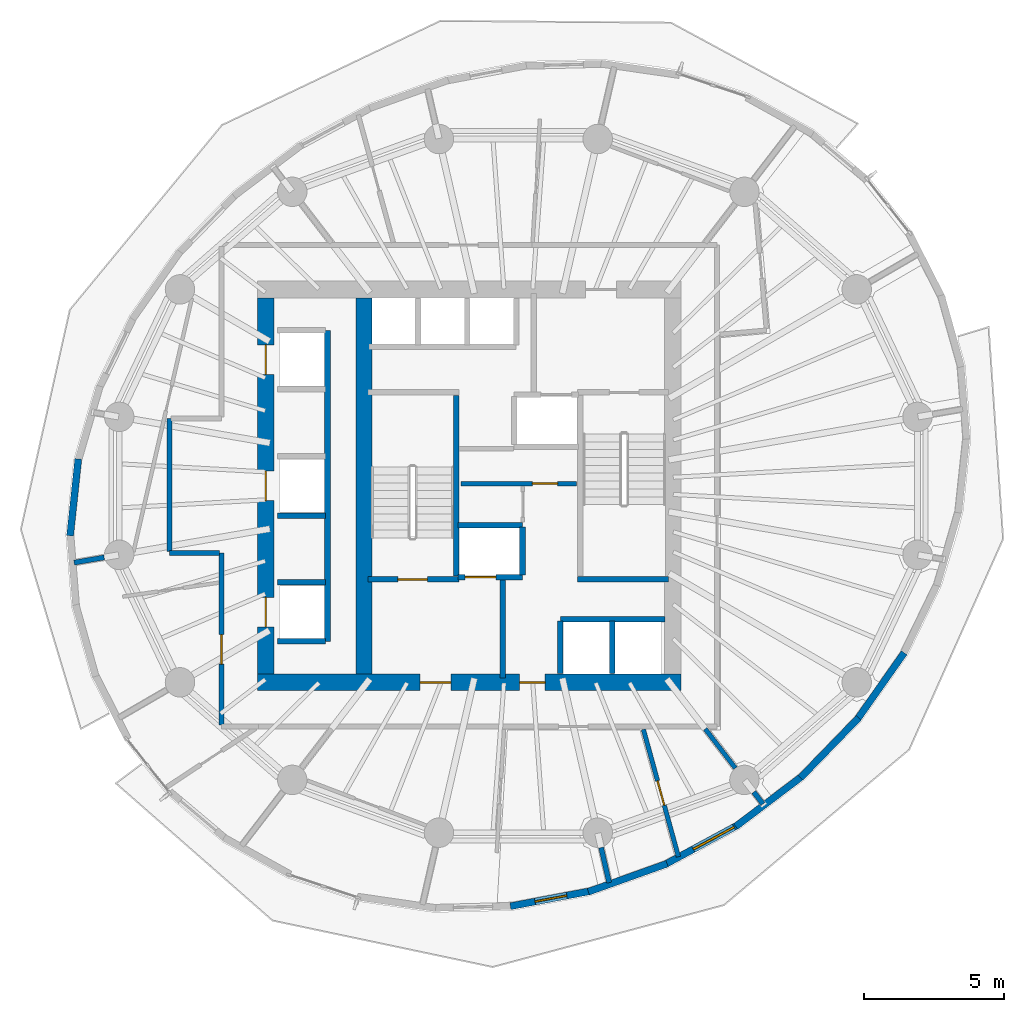
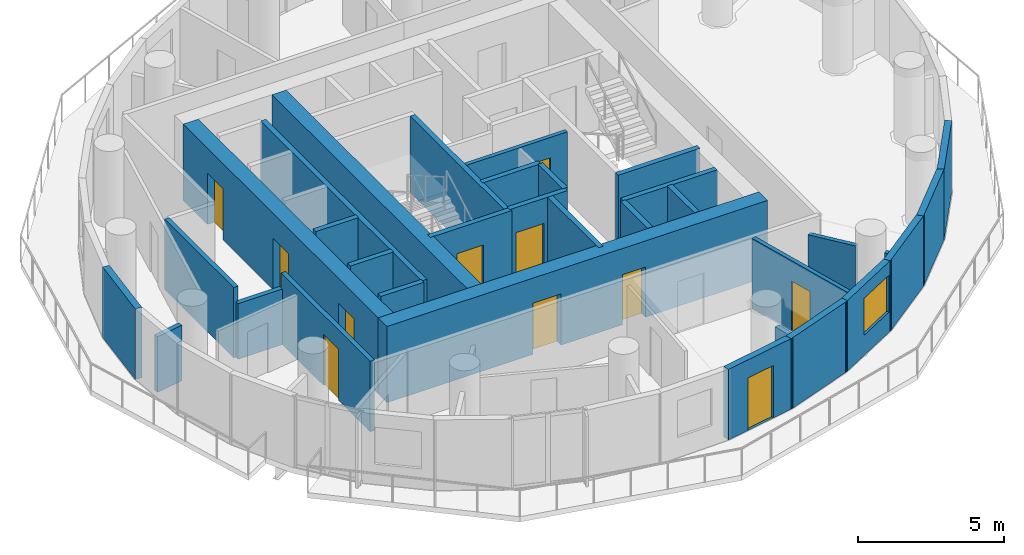
# One storey, part 5 of 12: 33 walls, 11 doors, 1 window, 12 openings.
"""IFC4 building model written with IfcOpenShell, lengths in metres."""

from ifc_helpers import new_model, si_unit, direction, frame, frame_2d, origin, place, context, subcontext, project, spatial, rectangle, extrude, material, layer, layer_set, type_object, element, fill, save


model = new_model("IFC4")

# Units and contexts
model_context = context("Model", 3, precision=1e-05, world=origin(), true_north=direction((0.0, 1.0)))
body_context = subcontext(model_context, "Body", "Model", "MODEL_VIEW")
ifc_project = project(units=[si_unit("LENGTHUNIT", "METRE"), si_unit("AREAUNIT", "SQUARE_METRE"), si_unit("VOLUMEUNIT", "CUBIC_METRE"), si_unit("PLANEANGLEUNIT", "RADIAN"), si_unit("MASSUNIT", "GRAM", prefix="KILO")], contexts=[model_context])

# Site, building, storey
site_placement = place(None, origin())
site = spatial("IfcSite", under=ifc_project, at=site_placement, CompositionType="ELEMENT")
building_placement = place(site_placement, origin())
building = spatial("IfcBuilding", under=site, at=building_placement, Name="Veldorim Arch Residences", CompositionType="ELEMENT")
storey_placement = place(building_placement, frame((0.0, 0.0, 139.360107421875)))
storey = spatial("IfcBuildingStorey", under=building, at=storey_placement, Name="L41", CompositionType="ELEMENT", Elevation=139.360107421875)

# Walls
ifc_material_1 = material(Name="Lightweight Masonry Block & Gypsum", Category="masonry")
ifc_layer_1 = layer(ifc_material_1, 0.179931640625, Name="Compartment & Corridor Fire-Rated Party Wall 180")
ifc_layer_set_1 = layer_set([ifc_layer_1], Name="Lightweight Masonry Block & Gypsum")
wall_type_1 = type_object("IfcWallType", Name="Compartment & Corridor Fire-Rated Party Wall 180", PredefinedType="PARTITIONING", material=ifc_layer_set_1)
wall_1_placement = place(storey_placement, frame((17.24169921875, 21.44921875, 0.0), z_axis=(0.0, 0.0, 1.0), x_axis=(-0.985361391556, -0.170478526599, 0.0)))
element("IfcWall", 1, at=wall_1_placement, inside=storey, type_object=wall_type_1, Name="L41 interior wall WL-PIER-L41-09", PredefinedType="PARTITIONING", context=body_context, shape_type="SweptSolid", body=[
    extrude(rectangle(XDim=1.0869140625, YDim=0.179931640625, at=frame_2d((0.54345703125, 0.0))), origin(), (0.0, 0.0, 1.0), 2.335693359375),
])
wall_2_placement = place(storey_placement, frame((34.950439453125, 11.11083984375, 0.0), z_axis=(0.0, 0.0, 1.0), x_axis=(0.223093561241, -0.974797036789, 0.0)))
element("IfcWall", 2, at=wall_2_placement, inside=storey, type_object=wall_type_1, Name="L41 interior wall WL-PIER-L41-13", PredefinedType="PARTITIONING", context=body_context, shape_type="SweptSolid", body=[
    extrude(rectangle(XDim=1.282470703125, YDim=0.179931640625, at=frame_2d((0.64111328125, 0.0))), origin(), (0.0, 0.0, 1.0), 2.335693359375),
])
wall_3_placement = place(storey_placement, frame((40.387939453125, 13.091552734375, 0.0), z_axis=(0.0, 0.0, 1.0), x_axis=(0.609469486836, -0.792809526063, 0.0)))
element("IfcWall", 3, at=wall_3_placement, inside=storey, type_object=wall_type_1, Name="L41 interior wall WL-PIER-L41-14", PredefinedType="PARTITIONING", context=body_context, shape_type="SweptSolid", body=[
    extrude(rectangle(XDim=0.5380859375, YDim=0.179931640625, at=frame_2d((0.26904296875, 0.0))), origin(), (0.0, 0.0, 1.0), 2.335693359375),
])

# Wall, opening, door
wall_4_placement = place(storey_placement, frame((21.419921875, 15.47998046875, 0.0), z_axis=(0.0, 0.0, 1.0), x_axis=(0.0, 1.0, 0.0)))
wall_4 = element("IfcWall", 4, at=wall_4_placement, inside=storey, type_object=wall_type_1, Name="L41 interior wall WL-RES-L41-006", PredefinedType="PARTITIONING", context=body_context, shape_type="SweptSolid", body=[
    extrude(rectangle(XDim=6.1201171875, YDim=0.179931640625, at=frame_2d((3.06005859375, 0.0))), origin(), (0.0, 0.0, 1.0), 2.954833984375),
])
opening_1_placement = place(wall_4_placement, frame((2.166748046875, 0.0, 0.0)))
opening_1 = element("IfcOpeningElement", 5, at=opening_1_placement, cuts=wall_4, Name="Opening DR-FLT", PredefinedType="OPENING", context=body_context, shape_type="SweptSolid", body=[
    extrude(rectangle(XDim=1.050048828125, YDim=2.14990234375, at=frame_2d((0.52490234375, 1.074951171875))), frame((0.0, 0.099853515625, 0.0), z_axis=(0.0, -1.0, 0.0), x_axis=(1.0, 0.0, 0.0)), (0.0, 0.0, 1.0), 0.199951171875),
])
ifc_material_2 = material(Name="Fire-Rated Timber", Category="wood")
door_type_1 = type_object("IfcDoorType", Name="Apartment Entrance Solid-Core Fire Door 1050x2150", OperationType="SINGLE_SWING_LEFT", PredefinedType="DOOR", material=ifc_material_2)
door_1_placement = place(opening_1_placement, origin())
door_1 = element("IfcDoor", 6, at=door_1_placement, inside=storey, type_object=door_type_1, Name="L41 interior door DR-RES-L41-011", OperationType="SINGLE_SWING_LEFT", OverallHeight=2.14990234375, OverallWidth=1.050048828125, PredefinedType="DOOR", context=body_context, shape_type="SweptSolid", body=[
    extrude(rectangle(XDim=1.050048828125, YDim=2.14990234375, at=frame_2d((0.52490234375, 1.074951171875))), frame((0.0, 0.02490234375, 0.0), z_axis=(0.0, -1.0, 0.0), x_axis=(1.0, 0.0, 0.0)), (0.0, 0.0, 1.0), 0.050048828125),
])
fill(opening_1, door_1)

# Walls
wall_5_placement = place(storey_placement, frame((21.360107421875, 21.60009765625, 0.0), z_axis=(0.0, 0.0, 1.0), x_axis=(-1.0, 0.0, 0.0)))
element("IfcWall", 7, at=wall_5_placement, inside=storey, type_object=wall_type_1, Name="L41 interior wall WL-RES-L41-007", PredefinedType="PARTITIONING", context=body_context, shape_type="SweptSolid", body=[
    extrude(rectangle(XDim=1.7900390625, YDim=0.179931640625, at=frame_2d((0.89501953125, 0.0))), origin(), (0.0, 0.0, 1.0), 2.335693359375),
])
wall_6_placement = place(storey_placement, frame((19.570068359375, 21.659912109375, 0.0), z_axis=(0.0, 0.0, 1.0), x_axis=(0.0, 1.0, 0.0)))
element("IfcWall", 8, at=wall_6_placement, inside=storey, type_object=wall_type_1, Name="L41 interior wall WL-RES-L41-008", PredefinedType="PARTITIONING", context=body_context, shape_type="SweptSolid", body=[
    extrude(rectangle(XDim=4.739990234375, YDim=0.179931640625, at=frame_2d((2.3701171875, 0.0))), origin(), (0.0, 0.0, 1.0), 2.954833984375),
])
ifc_material_3 = material(Name="Concrete C50/60", Category="concrete")
ifc_layer_2 = layer(ifc_material_3, 0.199951171875, Name="Core Stair & Lift Shaft Enclosure Wall 200")
ifc_layer_set_2 = layer_set([ifc_layer_2], Name="Concrete C50/60")
wall_type_2 = type_object("IfcWallType", Name="Core Stair & Lift Shaft Enclosure Wall 200", PredefinedType="SHEAR", material=ifc_layer_set_2)
wall_7_placement = place(storey_placement, frame((29.7900390625, 20.780029296875, 0.0), z_axis=(0.0, 0.0, 1.0), x_axis=(0.0, 1.0, 0.0)))
element("IfcWall", 9, at=wall_7_placement, inside=storey, type_object=wall_type_2, Name="L41 shaft wall WL-SHF-L41-ST1-E", PredefinedType="SHEAR", context=body_context, shape_type="SweptSolid", body=[
    extrude(rectangle(XDim=6.43994140625, YDim=0.199951171875, at=frame_2d((3.219970703125, 0.0))), origin(), (0.0, 0.0, 1.0), 3.199951171875),
])

# Wall, opening, door
wall_8_placement = place(storey_placement, frame((26.64990234375, 20.669921875, 0.0), z_axis=(0.0, 0.0, 1.0), x_axis=(1.0, 0.0, 0.0)))
wall_8 = element("IfcWall", 10, at=wall_8_placement, inside=storey, type_object=wall_type_2, Name="L41 shaft wall WL-SHF-L41-ST1-S", PredefinedType="SHEAR", context=body_context, shape_type="SweptSolid", body=[
    extrude(rectangle(XDim=3.239990234375, YDim=0.199951171875, at=frame_2d((1.6201171875, 0.0))), origin(), (0.0, 0.0, 1.0), 3.199951171875),
])
opening_2_placement = place(wall_8_placement, frame((1.054931640625, 0.0, 0.0)))
opening_2 = element("IfcOpeningElement", 11, at=opening_2_placement, cuts=wall_8, Name="Opening DR-ST", PredefinedType="OPENING", context=body_context, shape_type="SweptSolid", body=[
    extrude(rectangle(XDim=1.050048828125, YDim=2.14990234375, at=frame_2d((0.52490234375, 1.074951171875))), frame((0.0, 0.10986328125, 0.0), z_axis=(0.0, -1.0, 0.0), x_axis=(1.0, 0.0, 0.0)), (0.0, 0.0, 1.0), 0.219970703125),
])
ifc_material_4 = material(Name="Fire-Rated Steel", Category="steel")
door_type_2 = type_object("IfcDoorType", Name="Exit Staircase Self-Closing Fire Door 1050x2150", OperationType="SINGLE_SWING_LEFT", PredefinedType="DOOR", material=ifc_material_4)
door_2_placement = place(opening_2_placement, origin())
door_2 = element("IfcDoor", 12, at=door_2_placement, inside=storey, type_object=door_type_2, Name="L41 interior door DR-L41-ST1", OperationType="SINGLE_SWING_LEFT", OverallHeight=2.14990234375, OverallWidth=1.050048828125, PredefinedType="DOOR", context=body_context, shape_type="SweptSolid", body=[
    extrude(rectangle(XDim=1.050048828125, YDim=2.14990234375, at=frame_2d((0.52490234375, 1.074951171875))), frame((0.0, 0.02490234375, 0.0), z_axis=(0.0, -1.0, 0.0), x_axis=(1.0, 0.0, 0.0)), (0.0, 0.0, 1.0), 0.050048828125),
])
fill(opening_2, door_2)

# Walls
wall_9_placement = place(storey_placement, frame((34.110107421875, 20.669921875, 0.0), z_axis=(0.0, 0.0, 1.0), x_axis=(1.0, 0.0, 0.0)))
element("IfcWall", 13, at=wall_9_placement, inside=storey, type_object=wall_type_2, Name="L41 shaft wall WL-SHF-L41-ST2-S", PredefinedType="SHEAR", context=body_context, shape_type="SweptSolid", body=[
    extrude(rectangle(XDim=3.239990234375, YDim=0.199951171875, at=frame_2d((1.6201171875, 0.0))), origin(), (0.0, 0.0, 1.0), 3.199951171875),
])
wall_10_placement = place(storey_placement, frame((31.449951171875, 17.14990234375, 0.0), z_axis=(0.0, 0.0, 1.0), x_axis=(0.0, 1.0, 0.0)))
element("IfcWall", 14, at=wall_10_placement, inside=storey, type_object=wall_type_2, Name="L41 shaft wall WL-FFL1-L41-E", PredefinedType="SHEAR", context=body_context, shape_type="SweptSolid", body=[
    extrude(rectangle(XDim=3.5, YDim=0.199951171875, at=frame_2d((1.75, 0.0))), origin(), (0.0, 0.0, 1.0), 3.199951171875),
])

# Wall, opening, door
wall_11_placement = place(storey_placement, frame((29.85009765625, 20.75, 0.0), z_axis=(0.0, 0.0, 1.0), x_axis=(1.0, 0.0, 0.0)))
wall_11 = element("IfcWall", 15, at=wall_11_placement, inside=storey, type_object=wall_type_2, Name="L41 shaft wall WL-FL01-L41-S", PredefinedType="SHEAR", context=body_context, shape_type="SweptSolid", body=[
    extrude(rectangle(XDim=2.2998046875, YDim=0.199951171875, at=frame_2d((1.14990234375, 0.0))), origin(), (0.0, 0.0, 1.0), 3.199951171875),
])
opening_3_placement = place(wall_11_placement, frame((0.25, 0.0, 0.0)))
opening_3 = element("IfcOpeningElement", 16, at=opening_3_placement, cuts=wall_11, Name="Opening LD-FF", PredefinedType="OPENING", context=body_context, shape_type="SweptSolid", body=[
    extrude(rectangle(XDim=1.10009765625, YDim=2.14990234375, at=frame_2d((0.550048828125, 1.074951171875))), frame((0.0, 0.10986328125, 0.0), z_axis=(0.0, -1.0, 0.0), x_axis=(1.0, 0.0, 0.0)), (0.0, 0.0, 1.0), 0.219970703125),
])
ifc_material_5 = material(Name="Stainless Steel", Category="steel")
door_type_3 = type_object("IfcDoorType", Name="Firefighting Lift Bi-Parting Sliding Landing Door 1100x2150", OperationType="DOUBLE_DOOR_SLIDING", PredefinedType="DOOR", material=ifc_material_5)
door_3_placement = place(opening_3_placement, origin())
door_3 = element("IfcDoor", 17, at=door_3_placement, inside=storey, type_object=door_type_3, Name="L41 lift landing door LD-L41-FL01", OperationType="DOUBLE_DOOR_SLIDING", OverallHeight=2.14990234375, OverallWidth=1.10009765625, PredefinedType="DOOR", context=body_context, shape_type="SweptSolid", body=[
    extrude(rectangle(XDim=1.10009765625, YDim=2.14990234375, at=frame_2d((0.550048828125, 1.074951171875))), frame((0.0, 0.02490234375, 0.0), z_axis=(0.0, -1.0, 0.0), x_axis=(1.0, 0.0, 0.0)), (0.0, 0.0, 1.0), 0.050048828125),
])
fill(opening_3, door_3)

# Walls
wall_12_placement = place(storey_placement, frame((29.85009765625, 22.60009765625, 0.0), z_axis=(0.0, 0.0, 1.0), x_axis=(1.0, 0.0, 0.0)))
element("IfcWall", 18, at=wall_12_placement, inside=storey, type_object=wall_type_2, Name="L41 shaft wall WL-FL01-L41-N", PredefinedType="SHEAR", context=body_context, shape_type="SweptSolid", body=[
    extrude(rectangle(XDim=2.2998046875, YDim=0.199951171875, at=frame_2d((1.14990234375, 0.0))), origin(), (0.0, 0.0, 1.0), 3.199951171875),
])
wall_13_placement = place(storey_placement, frame((32.14990234375, 20.820068359375, 0.0), z_axis=(0.0, 0.0, 1.0), x_axis=(0.0, 1.0, 0.0)))
element("IfcWall", 19, at=wall_13_placement, inside=storey, type_object=wall_type_2, Name="L41 shaft wall WL-FL01-L41-E", PredefinedType="SHEAR", context=body_context, shape_type="SweptSolid", body=[
    extrude(rectangle(XDim=1.7099609375, YDim=0.199951171875, at=frame_2d((0.85498046875, 0.0))), origin(), (0.0, 0.0, 1.0), 3.199951171875),
])
wall_14_placement = place(storey_placement, frame((25.199951171875, 18.4599609375, 0.0), z_axis=(0.0, 0.0, 1.0), x_axis=(0.0, 1.0, 0.0)))
element("IfcWall", 20, at=wall_14_placement, inside=storey, type_object=wall_type_2, Name="L41 shaft wall WL-B2-L41-E", PredefinedType="SHEAR", context=body_context, shape_type="SweptSolid", body=[
    extrude(rectangle(XDim=11.080078125, YDim=0.199951171875, at=frame_2d((5.5400390625, 0.0))), origin(), (0.0, 0.0, 1.0), 3.199951171875),
])
for number, where, z_axis, x_axis, name in (
    (21, (23.419921875, 18.4599609375, 0.0), (0.0, 0.0, 1.0), (1.0, 0.0, 0.0), "L41 shaft wall WL-B2-L41-S"),
    (22, (23.419921875, 20.56005859375, 0.0), (0.0, 0.0, 1.0), (1.0, 0.0, 0.0), "L41 shaft wall WL-B2-L41-D1A"),
    (23, (23.419921875, 22.93994140625, 0.0), (0.0, 0.0, 1.0), (1.0, 0.0, 0.0), "L41 shaft wall WL-B2-L41-D1B"),
):
    element("IfcWall", number, at=place(storey_placement, frame(where, z_axis=z_axis, x_axis=x_axis)), inside=storey, type_object=wall_type_2, Name=name, PredefinedType="SHEAR", context=body_context, shape_type="SweptSolid", body=[
        extrude(rectangle(XDim=1.7099609375, YDim=0.199951171875, at=frame_2d((0.85498046875, 0.0))), origin(), (0.0, 0.0, 1.0), 3.199951171875),
    ])
wall_15_placement = place(storey_placement, frame((33.5, 19.25, 0.0), z_axis=(0.0, 0.0, 1.0), x_axis=(1.0, 0.0, 0.0)))
element("IfcWall", 24, at=wall_15_placement, inside=storey, type_object=wall_type_2, Name="L41 shaft wall WL-OL-L41-N", PredefinedType="SHEAR", context=body_context, shape_type="SweptSolid", body=[
    extrude(rectangle(XDim=3.719970703125, YDim=0.199951171875, at=frame_2d((1.85986328125, 0.0))), origin(), (0.0, 0.0, 1.0), 3.199951171875),
])
for number, where, z_axis, x_axis, name in (
    (25, (33.5, 17.320068359375, 0.0), (0.0, 0.0, 1.0), (0.0, 1.0, 0.0), "L41 shaft wall WL-OL-L41-W"),
    (26, (35.35009765625, 17.320068359375, 0.0), (0.0, 0.0, 1.0), (0.0, 1.0, 0.0), "L41 shaft wall WL-OL-L41-D1"),
):
    element("IfcWall", number, at=place(storey_placement, frame(where, z_axis=z_axis, x_axis=x_axis)), inside=storey, type_object=wall_type_2, Name=name, PredefinedType="SHEAR", context=body_context, shape_type="SweptSolid", body=[
        extrude(rectangle(XDim=1.85986328125, YDim=0.199951171875, at=frame_2d((0.929931640625, 0.0))), origin(), (0.0, 0.0, 1.0), 3.199951171875),
    ])

# Wall, openings, doors
ifc_material_6 = material(Name="Concrete C50/60", Category="concrete")
ifc_layer_3 = layer(ifc_material_6, 0.60009765625, Name="Mid-Upper Central Core Shear Wall 600")
ifc_layer_set_3 = layer_set([ifc_layer_3], Name="Concrete C50/60")
wall_type_3 = type_object("IfcWallType", Name="Mid-Upper Central Core Shear Wall 600", PredefinedType="SHEAR", material=ifc_layer_set_3)
wall_16_placement = place(storey_placement, frame((22.699951171875, 17.0, 0.0), z_axis=(0.0, 0.0, 1.0), x_axis=(1.0, 0.0, 0.0)))
wall_16 = element("IfcWall", 27, at=wall_16_placement, inside=storey, type_object=wall_type_3, Name="L41 central core south shear wall", PredefinedType="SHEAR", context=body_context, shape_type="SweptSolid", body=[
    extrude(rectangle(XDim=15.10009765625, YDim=0.60009765625, at=frame_2d((7.550048828125, 0.0))), origin(), (0.0, 0.0, 1.0), 3.199951171875),
])
opening_4_placement = place(wall_16_placement, frame((5.800048828125, 0.0, 0.0)))
opening_4 = element("IfcOpeningElement", 28, at=opening_4_placement, cuts=wall_16, Name="Opening DR-FFL", PredefinedType="OPENING", context=body_context, shape_type="SweptSolid", body=[
    extrude(rectangle(XDim=1.10009765625, YDim=2.14990234375, at=frame_2d((0.550048828125, 1.074951171875))), frame((0.0, 0.31005859375, 0.0), z_axis=(0.0, -1.0, 0.0), x_axis=(1.0, 0.0, 0.0)), (0.0, 0.0, 1.0), 0.6201171875),
])
opening_5_placement = place(wall_16_placement, frame((9.35009765625, 0.0, 0.0)))
opening_5 = element("IfcOpeningElement", 29, at=opening_5_placement, cuts=wall_16, Name="Opening DR-SVC", PredefinedType="OPENING", context=body_context, shape_type="SweptSolid", body=[
    extrude(rectangle(XDim=0.89990234375, YDim=2.10009765625, at=frame_2d((0.449951171875, 1.050048828125))), frame((0.0, 0.31005859375, 0.0), z_axis=(0.0, -1.0, 0.0), x_axis=(1.0, 0.0, 0.0)), (0.0, 0.0, 1.0), 0.6201171875),
])
ifc_material_7 = material(Name="Fire-Rated Steel & Vision Glass", Category="steel")
door_type_4 = type_object("IfcDoorType", Name="Firefighting Lobby Smoke-Stop Fire Door 1100x2150", OperationType="SINGLE_SWING_LEFT", PredefinedType="DOOR", material=ifc_material_7)
door_4_placement = place(opening_4_placement, origin())
door_4 = element("IfcDoor", 30, at=door_4_placement, inside=storey, type_object=door_type_4, Name="L41 interior door DR-L41-FFL1", OperationType="SINGLE_SWING_RIGHT", OverallHeight=2.14990234375, OverallWidth=1.10009765625, PredefinedType="DOOR", context=body_context, shape_type="SweptSolid", body=[
    extrude(rectangle(XDim=1.10009765625, YDim=2.14990234375, at=frame_2d((0.550048828125, 1.074951171875))), frame((0.0, 0.02490234375, 0.0), z_axis=(0.0, -1.0, 0.0), x_axis=(1.0, 0.0, 0.0)), (0.0, 0.0, 1.0), 0.050048828125),
])
fill(opening_4, door_4)
ifc_material_8 = material(Name="Fire-Rated Steel", Category="steel")
door_type_5 = type_object("IfcDoorType", Name="Riser, Shelter & Plant Room Rated Steel Door 900x2100", OperationType="SINGLE_SWING_LEFT", PredefinedType="DOOR", material=ifc_material_8)
door_5_placement = place(opening_5_placement, origin())
door_5 = element("IfcDoor", 31, at=door_5_placement, inside=storey, type_object=door_type_5, Name="L41 interior door DR-L41-COR-ANC", OperationType="SINGLE_SWING_LEFT", OverallHeight=2.10009765625, OverallWidth=0.89990234375, PredefinedType="DOOR", context=body_context, shape_type="SweptSolid", body=[
    extrude(rectangle(XDim=0.89990234375, YDim=2.10009765625, at=frame_2d((0.449951171875, 1.050048828125))), frame((0.0, 0.02490234375, 0.0), z_axis=(0.0, -1.0, 0.0), x_axis=(1.0, 0.0, 0.0)), (0.0, 0.0, 1.0), 0.050048828125),
])
fill(opening_5, door_5)

wall_17_placement = place(storey_placement, frame((23.0, 17.300048828125, 0.0), z_axis=(0.0, 0.0, 1.0), x_axis=(0.0, 1.0, 0.0)))
wall_17 = element("IfcWall", 32, at=wall_17_placement, inside=storey, type_object=wall_type_3, Name="L41 central core west shear wall", PredefinedType="SHEAR", context=body_context, shape_type="SweptSolid", body=[
    extrude(rectangle(XDim=13.39990234375, YDim=0.60009765625, at=frame_2d((6.699951171875, 0.0))), origin(), (0.0, 0.0, 1.0), 3.199951171875),
])
opening_6_placement = place(wall_17_placement, frame((1.675048828125, 0.0, 0.0)))
opening_6 = element("IfcOpeningElement", 33, at=opening_6_placement, cuts=wall_17, Name="Opening LD-PS", PredefinedType="OPENING", context=body_context, shape_type="SweptSolid", body=[
    extrude(rectangle(XDim=1.050048828125, YDim=2.14990234375, at=frame_2d((0.52490234375, 1.074951171875))), frame((0.0, 0.31005859375, 0.0), z_axis=(0.0, -1.0, 0.0), x_axis=(1.0, 0.0, 0.0)), (0.0, 0.0, 1.0), 0.6201171875),
])
opening_7_placement = place(wall_17_placement, frame((6.175048828125, 0.0, 0.0)))
opening_7 = element("IfcOpeningElement", 34, at=opening_7_placement, cuts=wall_17, Name="Opening LD-PS", PredefinedType="OPENING", context=body_context, shape_type="SweptSolid", body=[
    extrude(rectangle(XDim=1.050048828125, YDim=2.14990234375, at=frame_2d((0.52490234375, 1.074951171875))), frame((0.0, 0.31005859375, 0.0), z_axis=(0.0, -1.0, 0.0), x_axis=(1.0, 0.0, 0.0)), (0.0, 0.0, 1.0), 0.6201171875),
])
opening_8_placement = place(wall_17_placement, frame((10.675048828125, 0.0, 0.0)))
opening_8 = element("IfcOpeningElement", 35, at=opening_8_placement, cuts=wall_17, Name="Opening LD-PS", PredefinedType="OPENING", context=body_context, shape_type="SweptSolid", body=[
    extrude(rectangle(XDim=1.050048828125, YDim=2.14990234375, at=frame_2d((0.52490234375, 1.074951171875))), frame((0.0, 0.31005859375, 0.0), z_axis=(0.0, -1.0, 0.0), x_axis=(1.0, 0.0, 0.0)), (0.0, 0.0, 1.0), 0.6201171875),
])
ifc_material_9 = material(Name="Stainless Steel", Category="steel")
door_type_6 = type_object("IfcDoorType", Name="Passenger Lift Bi-Parting Sliding Landing Door 1050x2150", OperationType="DOUBLE_DOOR_SLIDING", PredefinedType="DOOR", material=ifc_material_9)
door_6_placement = place(opening_6_placement, origin())
door_6 = element("IfcDoor", 36, at=door_6_placement, inside=storey, type_object=door_type_6, Name="L41 lift landing door LD-L41-PL-05", OperationType="DOUBLE_DOOR_SLIDING", OverallHeight=2.14990234375, OverallWidth=1.050048828125, PredefinedType="DOOR", context=body_context, shape_type="SweptSolid", body=[
    extrude(rectangle(XDim=1.050048828125, YDim=2.14990234375, at=frame_2d((0.52490234375, 1.074951171875))), frame((0.0, 0.02490234375, 0.0), z_axis=(0.0, -1.0, 0.0), x_axis=(1.0, 0.0, 0.0)), (0.0, 0.0, 1.0), 0.050048828125),
])
fill(opening_6, door_6)
door_7_placement = place(opening_7_placement, origin())
door_7 = element("IfcDoor", 37, at=door_7_placement, inside=storey, type_object=door_type_6, Name="L41 lift landing door LD-L41-PL-06", OperationType="DOUBLE_DOOR_SLIDING", OverallHeight=2.14990234375, OverallWidth=1.050048828125, PredefinedType="DOOR", context=body_context, shape_type="SweptSolid", body=[
    extrude(rectangle(XDim=1.050048828125, YDim=2.14990234375, at=frame_2d((0.52490234375, 1.074951171875))), frame((0.0, 0.02490234375, 0.0), z_axis=(0.0, -1.0, 0.0), x_axis=(1.0, 0.0, 0.0)), (0.0, 0.0, 1.0), 0.050048828125),
])
fill(opening_7, door_7)
door_8_placement = place(opening_8_placement, origin())
door_8 = element("IfcDoor", 38, at=door_8_placement, inside=storey, type_object=door_type_6, Name="L41 lift landing door LD-L41-PL-07", OperationType="DOUBLE_DOOR_SLIDING", OverallHeight=2.14990234375, OverallWidth=1.050048828125, PredefinedType="DOOR", context=body_context, shape_type="SweptSolid", body=[
    extrude(rectangle(XDim=1.050048828125, YDim=2.14990234375, at=frame_2d((0.52490234375, 1.074951171875))), frame((0.0, 0.02490234375, 0.0), z_axis=(0.0, -1.0, 0.0), x_axis=(1.0, 0.0, 0.0)), (0.0, 0.0, 1.0), 0.050048828125),
])
fill(opening_8, door_8)

# Wall
ifc_material_10 = material(Name="Precast concrete C40/50", Category="concrete")
ifc_layer_4 = layer(ifc_material_10, 0.25, Name="Tower Terracotta Spandrel & Pier Wall 250")
ifc_layer_set_4 = layer_set([ifc_layer_4], Name="Precast concrete C40/50")
wall_type_4 = type_object("IfcWallType", Name="Tower Terracotta Spandrel & Pier Wall 250", PredefinedType="SOLIDWALL", material=ifc_layer_set_4)
wall_18_placement = place(storey_placement, frame((16.02880859375, 22.22119140625, 0.0), z_axis=(0.0, 0.0, 1.0), x_axis=(0.106010014212, 0.994365062181, 0.0)))
element("IfcWall", 39, at=wall_18_placement, inside=storey, type_object=wall_type_4, Name="L41 terracotta facade wall 15", PredefinedType="SOLIDWALL", context=body_context, shape_type="SweptSolid", body=[
    extrude(rectangle(XDim=2.752197265625, YDim=0.25, at=frame_2d((1.3759765625, 0.0))), origin(), (0.0, 0.0, 1.0), 2.9599609375),
])

# Wall, opening, door
wall_19_placement = place(storey_placement, frame((34.60107421875, 9.56640625, 0.0), z_axis=(0.0, 0.0, 1.0), x_axis=(-0.982637070109, -0.185538105108, 0.0)))
wall_19 = element("IfcWall", 40, at=wall_19_placement, inside=storey, type_object=wall_type_4, Name="L41 terracotta facade wall 25", PredefinedType="SOLIDWALL", context=body_context, shape_type="SweptSolid", body=[
    extrude(rectangle(XDim=2.93701171875, YDim=0.25, at=frame_2d((1.468505859375, 0.0))), origin(), (0.0, 0.0, 1.0), 2.9599609375),
])
opening_9_placement = place(wall_19_placement, frame((0.89306640625, 0.0, 0.0)))
opening_9 = element("IfcOpeningElement", 41, at=opening_9_placement, cuts=wall_19, Name="Opening BL-DR", PredefinedType="OPENING", context=body_context, shape_type="SweptSolid", body=[
    extrude(rectangle(XDim=1.14990234375, YDim=2.199951171875, at=frame_2d((0.574951171875, 1.10009765625))), frame((0.0, 0.135009765625, 0.0), z_axis=(0.0, -1.0, 0.0), x_axis=(1.0, 0.0, 0.0)), (0.0, 0.0, 1.0), 0.27001953125),
])
ifc_material_11 = material(Name="Aluminium & Low-E Glass", Category="aluminium")
door_type_7 = type_object("IfcDoorType", Name="Glazed Planted Balcony Door 1150x2200", OperationType="SINGLE_SWING_LEFT", PredefinedType="DOOR", material=ifc_material_11)
door_9_placement = place(opening_9_placement, origin())
door_9 = element("IfcDoor", 42, at=door_9_placement, inside=storey, type_object=door_type_7, Name="L41 glazed outdoor terrace door BALC-2", OperationType="SINGLE_SWING_LEFT", OverallHeight=2.199951171875, OverallWidth=1.14990234375, PredefinedType="DOOR", context=body_context, shape_type="SweptSolid", body=[
    extrude(rectangle(XDim=1.14990234375, YDim=2.199951171875, at=frame_2d((0.574951171875, 1.10009765625))), frame((0.0, 0.02490234375, 0.0), z_axis=(0.0, -1.0, 0.0), x_axis=(1.0, 0.0, 0.0)), (0.0, 0.0, 1.0), 0.050048828125),
])
fill(opening_9, door_9)

# Wall
wall_20_placement = place(storey_placement, frame((37.29931640625, 10.538818359375, 0.0), z_axis=(0.0, 0.0, 1.0), x_axis=(-0.94175304307, -0.33630522724, 0.0)))
element("IfcWall", 43, at=wall_20_placement, inside=storey, type_object=wall_type_4, Name="L41 terracotta facade wall 26", PredefinedType="SOLIDWALL", context=body_context, shape_type="SweptSolid", body=[
    extrude(rectangle(XDim=2.97705078125, YDim=0.25, at=frame_2d((1.488525390625, 0.0))), origin(), (0.0, 0.0, 1.0), 2.9599609375),
])

# Wall, opening, window
wall_21_placement = place(storey_placement, frame((39.837158203125, 11.9208984375, 0.0), z_axis=(0.0, 0.0, 1.0), x_axis=(-0.879567466611, -0.475774181393, 0.0)))
wall_21 = element("IfcWall", 44, at=wall_21_placement, inside=storey, type_object=wall_type_4, Name="L41 terracotta facade wall 27", PredefinedType="SOLIDWALL", context=body_context, shape_type="SweptSolid", body=[
    extrude(rectangle(XDim=2.998291015625, YDim=0.25, at=frame_2d((1.4990234375, 0.0))), origin(), (0.0, 0.0, 1.0), 2.9599609375),
])
opening_10_placement = place(wall_21_placement, frame((0.175048828125, 0.0, 0.85009765625)))
opening_10 = element("IfcOpeningElement", 45, at=opening_10_placement, cuts=wall_21, Name="Opening WN-03", PredefinedType="OPENING", context=body_context, shape_type="SweptSolid", body=[
    extrude(rectangle(XDim=1.64990234375, YDim=1.550048828125, at=frame_2d((0.824951171875, 0.77490234375))), frame((0.0, 0.135009765625, 0.0), z_axis=(0.0, -1.0, 0.0), x_axis=(1.0, 0.0, 0.0)), (0.0, 0.0, 1.0), 0.27001953125),
])
ifc_material_12 = material(Name="Laminated Low-E Glass", Category="glass")
window_type = type_object("IfcWindowType", Name="Residential Wide Window 1650x1550", PartitioningType="SINGLE_PANEL", PredefinedType="WINDOW", material=ifc_material_12)
window_placement = place(opening_10_placement, origin())
window = element("IfcWindow", 46, at=window_placement, inside=storey, type_object=window_type, Name="L41 solar-control facade window 27", OverallHeight=1.550048828125, OverallWidth=1.64990234375, PartitioningType="SINGLE_PANEL", PredefinedType="WINDOW", context=body_context, shape_type="SweptSolid", body=[
    extrude(rectangle(XDim=1.64990234375, YDim=1.550048828125, at=frame_2d((0.824951171875, 0.77490234375))), frame((0.0, 0.030029296875, 0.0), z_axis=(0.0, -1.0, 0.0), x_axis=(1.0, 0.0, 0.0)), (0.0, 0.0, 1.0), 0.06005859375),
])
fill(opening_10, window)

# Walls
wall_22_placement = place(storey_placement, frame((42.136962890625, 13.6708984375, 0.0), z_axis=(0.0, 0.0, 1.0), x_axis=(-0.797511213298, -0.603304122863, 0.0)))
element("IfcWall", 47, at=wall_22_placement, inside=storey, type_object=wall_type_4, Name="L41 terracotta facade wall 28", PredefinedType="SOLIDWALL", context=body_context, shape_type="SweptSolid", body=[
    extrude(rectangle(XDim=2.998291015625, YDim=0.25, at=frame_2d((1.4990234375, 0.0))), origin(), (0.0, 0.0, 1.0), 2.9599609375),
])
wall_23_placement = place(storey_placement, frame((44.128173828125, 15.73583984375, 0.0), z_axis=(0.0, 0.0, 1.0), x_axis=(-0.696240605886, -0.717808483312, 0.0)))
element("IfcWall", 48, at=wall_23_placement, inside=storey, type_object=wall_type_4, Name="L41 terracotta facade wall 29", PredefinedType="SOLIDWALL", context=body_context, shape_type="SweptSolid", body=[
    extrude(rectangle(XDim=2.97705078125, YDim=0.25, at=frame_2d((1.488525390625, 0.0))), origin(), (0.0, 0.0, 1.0), 2.9599609375),
])
wall_24_placement = place(storey_placement, frame((45.75, 18.052490234375, 0.0), z_axis=(0.0, 0.0, 1.0), x_axis=(-0.576020449187, -0.817435283137, 0.0)))
element("IfcWall", 49, at=wall_24_placement, inside=storey, type_object=wall_type_4, Name="L41 terracotta facade wall 30", PredefinedType="SOLIDWALL", context=body_context, shape_type="SweptSolid", body=[
    extrude(rectangle(XDim=2.936767578125, YDim=0.25, at=frame_2d((1.46826171875, 0.0))), origin(), (0.0, 0.0, 1.0), 2.9599609375),
])
ifc_material_13 = material(Name="Concrete C50/60", Category="concrete")
ifc_layer_5 = layer(ifc_material_13, 0.56005859375, Name="Upper Internal Core Shear Web Wall 560")
ifc_layer_set_5 = layer_set([ifc_layer_5], Name="Concrete C50/60")
wall_type_5 = type_object("IfcWallType", Name="Upper Internal Core Shear Web Wall 560", PredefinedType="SHEAR", material=ifc_layer_set_5)
wall_25_placement = place(storey_placement, frame((26.5, 17.300048828125, 0.0), z_axis=(0.0, 0.0, 1.0), x_axis=(0.0, 1.0, 0.0)))
element("IfcWall", 50, at=wall_25_placement, inside=storey, type_object=wall_type_5, Name="L41 core west internal shear web", PredefinedType="SHEAR", context=body_context, shape_type="SweptSolid", body=[
    extrude(rectangle(XDim=13.39990234375, YDim=0.56005859375, at=frame_2d((6.699951171875, 0.0))), origin(), (0.0, 0.0, 1.0), 3.199951171875),
])

# Wall, opening, door
ifc_material_14 = material(Name="Moisture-Resistant Gypsum & Stud", Category="gypsum")
ifc_layer_6 = layer(ifc_material_14, 0.159912109375, Name="Wet-Area Moisture-Resistant Plumbing Wall 160")
ifc_layer_set_6 = layer_set([ifc_layer_6], Name="Moisture-Resistant Gypsum & Stud")
wall_type_6 = type_object("IfcWallType", Name="Wet-Area Moisture-Resistant Plumbing Wall 160", PredefinedType="PLUMBINGWALL", material=ifc_layer_set_6)
wall_26_placement = place(storey_placement, frame((29.949951171875, 24.080078125, 0.0), z_axis=(0.0, 0.0, 1.0), x_axis=(1.0, 0.0, 0.0)))
wall_26 = element("IfcWall", 51, at=wall_26_placement, inside=storey, type_object=wall_type_6, Name="L41 interior wall WL-CA-L41-1", PredefinedType="PLUMBINGWALL", context=body_context, shape_type="SweptSolid", body=[
    extrude(rectangle(XDim=4.130126953125, YDim=0.159912109375, at=frame_2d((2.06494140625, 0.0))), origin(), (0.0, 0.0, 1.0), 2.954833984375),
])
opening_11_placement = place(wall_26_placement, frame((2.550048828125, 0.0, 0.0)))
opening_11 = element("IfcOpeningElement", 52, at=opening_11_placement, cuts=wall_26, Name="Opening DR-WC", PredefinedType="OPENING", context=body_context, shape_type="SweptSolid", body=[
    extrude(rectangle(XDim=0.89990234375, YDim=2.10009765625, at=frame_2d((0.449951171875, 1.050048828125))), frame((0.0, 0.08984375, 0.0), z_axis=(0.0, -1.0, 0.0), x_axis=(1.0, 0.0, 0.0)), (0.0, 0.0, 1.0), 0.179931640625),
])
ifc_material_15 = material(Name="Laminate Timber", Category="wood")
door_type_8 = type_object("IfcDoorType", Name="Bathroom & Accessible WC Moisture-Sealed Door 900x2100", OperationType="SINGLE_SWING_LEFT", PredefinedType="DOOR", material=ifc_material_15)
door_10_placement = place(opening_11_placement, origin())
door_10 = element("IfcDoor", 53, at=door_10_placement, inside=storey, type_object=door_type_8, Name="L41 interior door DR-L41-CA1", OperationType="SINGLE_SWING_LEFT", OverallHeight=2.10009765625, OverallWidth=0.89990234375, PredefinedType="DOOR", context=body_context, shape_type="SweptSolid", body=[
    extrude(rectangle(XDim=0.89990234375, YDim=2.10009765625, at=frame_2d((0.449951171875, 1.050048828125))), frame((0.0, 0.02490234375, 0.0), z_axis=(0.0, -1.0, 0.0), x_axis=(1.0, 0.0, 0.0)), (0.0, 0.0, 1.0), 0.050048828125),
])
fill(opening_11, door_10)

wall_27_placement = place(storey_placement, frame((36.454833984375, 15.323486328125, 0.0), z_axis=(0.0, 0.0, 1.0), x_axis=(0.265393905211, -0.964140070258, 0.0)))
wall_27 = element("IfcWall", 54, at=wall_27_placement, inside=storey, type_object=wall_type_6, Name="L41 interior wall WL-RES-L41-011", PredefinedType="PLUMBINGWALL", context=body_context, shape_type="SweptSolid", body=[
    extrude(rectangle(XDim=4.708251953125, YDim=0.159912109375, at=frame_2d((2.35400390625, 0.0))), origin(), (0.0, 0.0, 1.0), 2.954833984375),
])
opening_12_placement = place(wall_27_placement, frame((1.904052734375, 0.0, 0.0)))
opening_12 = element("IfcOpeningElement", 55, at=opening_12_placement, cuts=wall_27, Name="Opening DR-WC", PredefinedType="OPENING", context=body_context, shape_type="SweptSolid", body=[
    extrude(rectangle(XDim=0.89990234375, YDim=2.10009765625, at=frame_2d((0.449951171875, 1.050048828125))), frame((0.0, 0.08984375, 0.0), z_axis=(0.0, -1.0, 0.0), x_axis=(1.0, 0.0, 0.0)), (0.0, 0.0, 1.0), 0.179931640625),
])
door_11_placement = place(opening_12_placement, origin())
door_11 = element("IfcDoor", 56, at=door_11_placement, inside=storey, type_object=door_type_8, Name="L41 interior door DR-RES-L41-002", OperationType="SINGLE_SWING_RIGHT", OverallHeight=2.10009765625, OverallWidth=0.89990234375, PredefinedType="DOOR", context=body_context, shape_type="SweptSolid", body=[
    extrude(rectangle(XDim=0.89990234375, YDim=2.10009765625, at=frame_2d((0.449951171875, 1.050048828125))), frame((0.0, 0.02490234375, 0.0), z_axis=(0.0, -1.0, 0.0), x_axis=(1.0, 0.0, 0.0)), (0.0, 0.0, 1.0), 0.050048828125),
])
fill(opening_12, door_11)

# Wall
wall_28_placement = place(storey_placement, frame((38.658447265625, 15.3408203125, 0.0), z_axis=(0.0, 0.0, 1.0), x_axis=(0.609536601946, -0.792757927042, 0.0)))
element("IfcWall", 57, at=wall_28_placement, inside=storey, type_object=wall_type_6, Name="L41 interior wall WL-RES-L41-013", PredefinedType="PLUMBINGWALL", context=body_context, shape_type="SweptSolid", body=[
    extrude(rectangle(XDim=1.761474609375, YDim=0.159912109375, at=frame_2d((0.880859375, 0.0))), origin(), (0.0, 0.0, 1.0), 2.335693359375),
])

save(model, "model.ifc")
